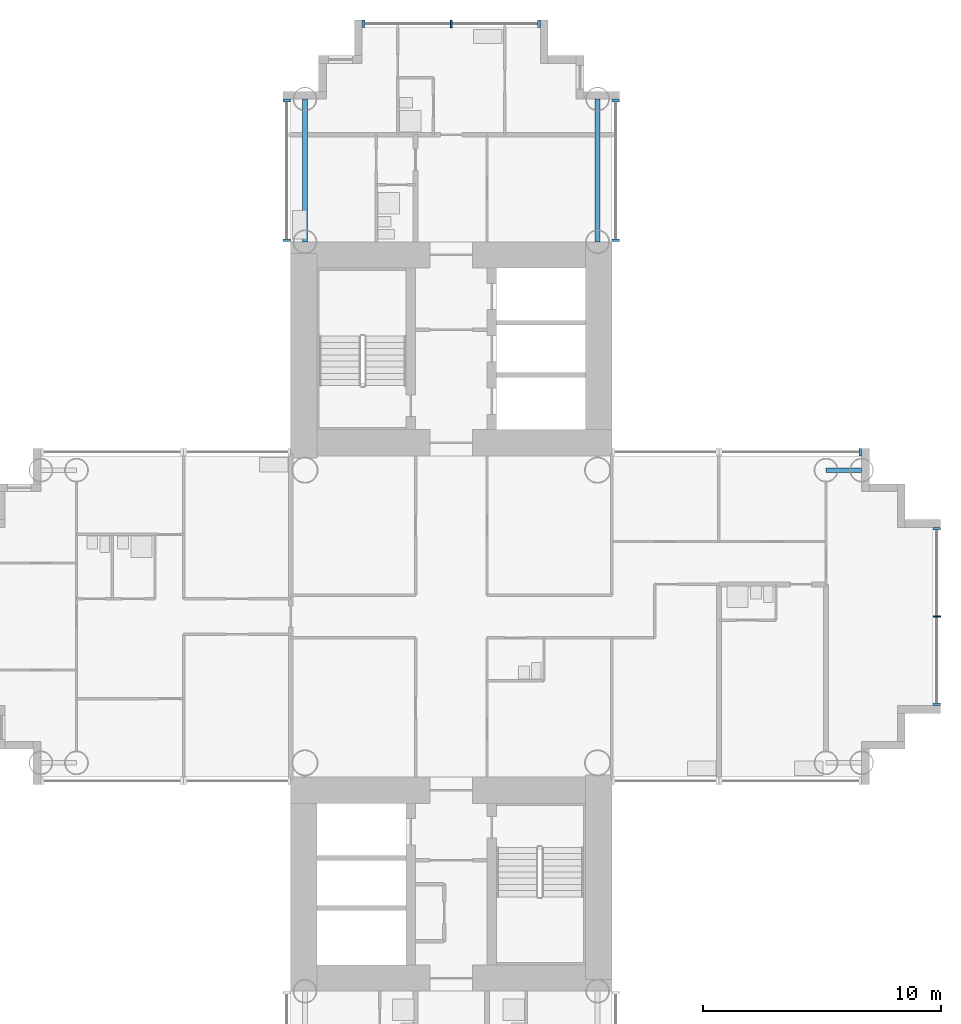
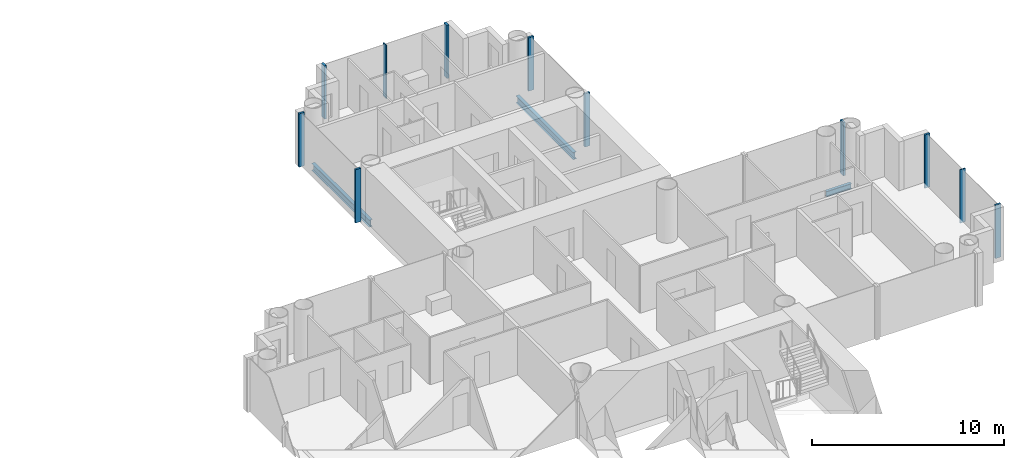
# One storey, part 6 of 22: 11 members, 3 beams, 5 elements without a shape of their own.
"""IFC4 building model written with IfcOpenShell, lengths in metres."""

from ifc_helpers import new_model, si_unit, direction, frame, origin, origin_2d, place, context, subcontext, project, spatial, rectangle, i_section, extrude, material, layer, layer_set, material_profile, profile_set, type_object, element, aggregate, save


model = new_model("IFC4")

# Units and contexts
model_context = context("Model", 3, precision=1e-05, world=origin(), true_north=direction((0.0, 1.0)))
body_context = subcontext(model_context, "Body", "Model", "MODEL_VIEW")
ifc_project = project(units=[si_unit("LENGTHUNIT", "METRE"), si_unit("AREAUNIT", "SQUARE_METRE"), si_unit("VOLUMEUNIT", "CUBIC_METRE"), si_unit("PLANEANGLEUNIT", "RADIAN"), si_unit("MASSUNIT", "GRAM", prefix="KILO")], contexts=[model_context])

# Site, building, storey
site_placement = place(None, origin())
site = spatial("IfcSite", under=ifc_project, at=site_placement, CompositionType="ELEMENT")
building_placement = place(site_placement, origin())
building = spatial("IfcBuilding", under=site, at=building_placement, Name="Ipe Terrace Towers", CompositionType="ELEMENT")
storey_placement = place(building_placement, frame((0.0, 0.0, 61.89990234375)))
storey = spatial("IfcBuildingStorey", under=building, at=storey_placement, Name="L16", CompositionType="ELEMENT", Elevation=61.89990234375)

# Beams
ifc_material_1 = material(Name="Steel S355", Category="steel")
ifc_material_profile_1 = material_profile(ifc_material_1, i_section(OverallWidth=0.175048828125, OverallDepth=0.35009765625, WebThickness=0.007080078125, FlangeThickness=0.010986328125, at=origin_2d()), Name="H-350x175x7x11")
ifc_profile_set_1 = profile_set([ifc_material_profile_1], Name="Steel S355")
beam_type_1 = type_object("IfcBeamType", Name="H04 EDGE BEAM H-350x175x7x11", PredefinedType="BEAM", material=ifc_profile_set_1)
beam_placement = place(storey_placement, frame((51.75, 6.14990234375, -0.574951171875), z_axis=(1.0, 0.0, 0.0), x_axis=(0.0, 1.0, 0.0)))
element("IfcBeam", 1, at=beam_placement, inside=storey, type_object=beam_type_1, Name="Edge beam T2-EB-D04-D06", PredefinedType="BEAM", context=body_context, shape_type="SweptSolid", body=[
    extrude(i_section(OverallWidth=0.175048828125, OverallDepth=0.35009765625, WebThickness=0.007080078125, FlangeThickness=0.010986328125, at=origin_2d()), origin(), (0.0, 0.0, 1.0), 1.5),
])
ifc_material_2 = material(Name="Steel S355", Category="steel")
ifc_material_profile_2 = material_profile(ifc_material_2, i_section(OverallWidth=0.199951171875, OverallDepth=0.449951171875, WebThickness=0.009033203125, FlangeThickness=0.013916015625, at=origin_2d()), Name="H-450x200x9x14")
ifc_profile_set_2 = profile_set([ifc_material_profile_2], Name="Steel S355")
beam_type_2 = type_object("IfcBeamType", Name="H08 EDGE BEAM H-450x200x9x14", PredefinedType="BEAM", material=ifc_profile_set_2)
for number, where, z_axis, x_axis, name in (
    (2, (42.14990234375, 15.75, -0.625), (0.0, 1.0, 0.0), (-1.0, 0.0, 0.0), "Edge beam T2-EB-A01-A03"),
    (3, (29.85009765625, 15.75, -0.625), (0.0, 1.0, 0.0), (-1.0, 0.0, 0.0), "Edge beam T2-EB-A02-A04"),
):
    element("IfcBeam", number, at=place(storey_placement, frame(where, z_axis=z_axis, x_axis=x_axis)), inside=storey, type_object=beam_type_2, Name=name, PredefinedType="BEAM", context=body_context, shape_type="SweptSolid", body=[
        extrude(i_section(OverallWidth=0.199951171875, OverallDepth=0.449951171875, WebThickness=0.009033203125, FlangeThickness=0.013916015625, at=origin_2d()), origin(), (0.0, 0.0, 1.0), 6.0),
    ])

# Curtain wall, members
ifc_material_3 = material(Name="Aluminium alloy 6063-T6", Category="aluminium")
ifc_layer = layer(ifc_material_3, 0.320068359375)
ifc_layer_set = layer_set([ifc_layer], Name="TOWER UNITISED CURTAIN WALL")
curtain_wall_type = type_object("IfcCurtainWallType", Name="TOWER UNITISED CURTAIN WALL", PredefinedType="NOTDEFINED", material=ifc_layer_set)
curtain_wall_1_placement = place(storey_placement, origin())
curtain_wall_1 = element("IfcCurtainWall", 4, at=curtain_wall_1_placement, inside=storey, type_object=curtain_wall_type, Name="T2-CW-L16-12a curtain wall", PredefinedType="NOTDEFINED")
ifc_material_4 = material(Name="Aluminium alloy 6063-T6", Category="aluminium")
ifc_material_profile_3 = material_profile(ifc_material_4, rectangle(XDim=0.320068359375, YDim=0.1201171875, at=origin_2d()), Name="TOWER UNITISED CORNER MULLION 320 x 120")
ifc_profile_set_3 = profile_set([ifc_material_profile_3], Name="Aluminium alloy 6063-T6")
member_type_1 = type_object("IfcMemberType", Name="TOWER UNITISED CORNER MULLION 320 x 120", PredefinedType="MULLION", material=ifc_profile_set_3)
member_1_placement = place(storey_placement, frame((56.409912109375, -3.68994140625, -0.2998046875), z_axis=(0.0, 0.0, 1.0), x_axis=(1.0, 0.0, 0.0)))
member_1 = element("IfcMember", 5, at=member_1_placement, type_object=member_type_1, Name="T2-CW-L16-12a mullion 1", PredefinedType="MULLION", context=body_context, shape_type="SweptSolid", body=[
    extrude(rectangle(XDim=0.320068359375, YDim=0.1201171875, at=origin_2d()), origin(), (0.0, 0.0, 1.0), 3.39990234375),
])
member_2_placement = place(storey_placement, frame((56.409912109375, 3.68994140625, -0.2998046875), z_axis=(0.0, 0.0, 1.0), x_axis=(1.0, 0.0, 0.0)))
member_2 = element("IfcMember", 6, at=member_2_placement, type_object=member_type_1, Name="T2-CW-L16-12a mullion 3", PredefinedType="MULLION", context=body_context, shape_type="SweptSolid", body=[
    extrude(rectangle(XDim=0.320068359375, YDim=0.1201171875, at=origin_2d()), origin(), (0.0, 0.0, 1.0), 3.39990234375),
])

# Curtain wall, member
curtain_wall_2_placement = place(storey_placement, origin())
curtain_wall_2 = element("IfcCurtainWall", 7, at=curtain_wall_2_placement, inside=storey, type_object=curtain_wall_type, Name="T2-CW-L16-17a curtain wall", PredefinedType="NOTDEFINED")
member_3_placement = place(storey_placement, frame((53.18994140625, 6.909912109375, -0.2998046875), z_axis=(0.0, 0.0, 1.0), x_axis=(0.0, 1.0, 0.0)))
member_3 = element("IfcMember", 8, at=member_3_placement, type_object=member_type_1, Name="T2-CW-L16-17a mullion 1", PredefinedType="MULLION", context=body_context, shape_type="SweptSolid", body=[
    extrude(rectangle(XDim=0.320068359375, YDim=0.1201171875, at=origin_2d()), origin(), (0.0, 0.0, 1.0), 3.39990234375),
])
aggregate(curtain_wall_2, [member_3])

# Curtain wall, members
curtain_wall_3_placement = place(storey_placement, origin())
curtain_wall_3 = element("IfcCurtainWall", 9, at=curtain_wall_3_placement, inside=storey, type_object=curtain_wall_type, Name="T2-CW-L16-20b curtain wall", PredefinedType="NOTDEFINED")
member_4_placement = place(storey_placement, frame((42.909912109375, 15.81103515625, -0.2998046875), z_axis=(0.0, 0.0, 1.0), x_axis=(1.0, 0.0, 0.0)))
member_4 = element("IfcMember", 10, at=member_4_placement, type_object=member_type_1, Name="T2-CW-L16-20b mullion 1", PredefinedType="MULLION", context=body_context, shape_type="SweptSolid", body=[
    extrude(rectangle(XDim=0.320068359375, YDim=0.1201171875, at=origin_2d()), origin(), (0.0, 0.0, 1.0), 3.39990234375),
])
member_5_placement = place(storey_placement, frame((42.909912109375, 21.68994140625, -0.2998046875), z_axis=(0.0, 0.0, 1.0), x_axis=(1.0, 0.0, 0.0)))
member_5 = element("IfcMember", 11, at=member_5_placement, type_object=member_type_1, Name="T2-CW-L16-20b mullion 2", PredefinedType="MULLION", context=body_context, shape_type="SweptSolid", body=[
    extrude(rectangle(XDim=0.320068359375, YDim=0.1201171875, at=origin_2d()), origin(), (0.0, 0.0, 1.0), 3.39990234375),
])
aggregate(curtain_wall_3, [member_4, member_5])

curtain_wall_4_placement = place(storey_placement, origin())
curtain_wall_4 = element("IfcCurtainWall", 12, at=curtain_wall_4_placement, inside=storey, type_object=curtain_wall_type, Name="T2-CW-L16-25a curtain wall", PredefinedType="NOTDEFINED")
member_6_placement = place(storey_placement, frame((39.68994140625, 24.909912109375, -0.2998046875), z_axis=(0.0, 0.0, 1.0), x_axis=(0.0, 1.0, 0.0)))
member_6 = element("IfcMember", 13, at=member_6_placement, type_object=member_type_1, Name="T2-CW-L16-25a mullion 1", PredefinedType="MULLION", context=body_context, shape_type="SweptSolid", body=[
    extrude(rectangle(XDim=0.320068359375, YDim=0.1201171875, at=origin_2d()), origin(), (0.0, 0.0, 1.0), 3.39990234375),
])
member_7_placement = place(storey_placement, frame((32.31005859375, 24.909912109375, -0.2998046875), z_axis=(0.0, 0.0, 1.0), x_axis=(0.0, 1.0, 0.0)))
member_7 = element("IfcMember", 14, at=member_7_placement, type_object=member_type_1, Name="T2-CW-L16-25a mullion 3", PredefinedType="MULLION", context=body_context, shape_type="SweptSolid", body=[
    extrude(rectangle(XDim=0.320068359375, YDim=0.1201171875, at=origin_2d()), origin(), (0.0, 0.0, 1.0), 3.39990234375),
])

curtain_wall_5_placement = place(storey_placement, origin())
curtain_wall_5 = element("IfcCurtainWall", 15, at=curtain_wall_5_placement, inside=storey, type_object=curtain_wall_type, Name="T2-CW-L16-30a curtain wall", PredefinedType="NOTDEFINED")
member_8_placement = place(storey_placement, frame((29.090087890625, 21.68994140625, -0.2998046875), z_axis=(0.0, 0.0, 1.0), x_axis=(-1.0, 0.0, 0.0)))
member_8 = element("IfcMember", 16, at=member_8_placement, type_object=member_type_1, Name="T2-CW-L16-30a mullion 1", PredefinedType="MULLION", context=body_context, shape_type="SweptSolid", body=[
    extrude(rectangle(XDim=0.320068359375, YDim=0.1201171875, at=origin_2d()), origin(), (0.0, 0.0, 1.0), 3.39990234375),
])
member_9_placement = place(storey_placement, frame((29.090087890625, 15.81103515625, -0.2998046875), z_axis=(0.0, 0.0, 1.0), x_axis=(-1.0, 0.0, 0.0)))
member_9 = element("IfcMember", 17, at=member_9_placement, type_object=member_type_1, Name="T2-CW-L16-30a mullion 2", PredefinedType="MULLION", context=body_context, shape_type="SweptSolid", body=[
    extrude(rectangle(XDim=0.320068359375, YDim=0.1201171875, at=origin_2d()), origin(), (0.0, 0.0, 1.0), 3.39990234375),
])
aggregate(curtain_wall_5, [member_8, member_9])

# Member
ifc_material_5 = material(Name="Aluminium alloy 6063-T6", Category="aluminium")
ifc_material_profile_4 = material_profile(ifc_material_5, rectangle(XDim=0.320068359375, YDim=0.06494140625, at=origin_2d()), Name="TOWER UNITISED MULLION 320 x 65")
ifc_profile_set_4 = profile_set([ifc_material_profile_4], Name="Aluminium alloy 6063-T6")
member_type_2 = type_object("IfcMemberType", Name="TOWER UNITISED MULLION 320 x 65", PredefinedType="MULLION", material=ifc_profile_set_4)
member_10_placement = place(storey_placement, frame((56.409912109375, 0.0, -0.2998046875), z_axis=(0.0, 0.0, 1.0), x_axis=(1.0, 0.0, 0.0)))
member_10 = element("IfcMember", 18, at=member_10_placement, type_object=member_type_2, Name="T2-CW-L16-12a mullion 2", PredefinedType="MULLION", context=body_context, shape_type="SweptSolid", body=[
    extrude(rectangle(XDim=0.320068359375, YDim=0.06494140625, at=origin_2d()), origin(), (0.0, 0.0, 1.0), 3.39990234375),
])

aggregate(curtain_wall_1, [member_1, member_10, member_2])

member_11_placement = place(storey_placement, frame((36.0, 24.909912109375, -0.2998046875), z_axis=(0.0, 0.0, 1.0), x_axis=(0.0, 1.0, 0.0)))
member_11 = element("IfcMember", 19, at=member_11_placement, type_object=member_type_2, Name="T2-CW-L16-25a mullion 2", PredefinedType="MULLION", context=body_context, shape_type="SweptSolid", body=[
    extrude(rectangle(XDim=0.320068359375, YDim=0.06494140625, at=origin_2d()), origin(), (0.0, 0.0, 1.0), 3.39990234375),
])

aggregate(curtain_wall_4, [member_6, member_11, member_7])

save(model, "model.ifc")
